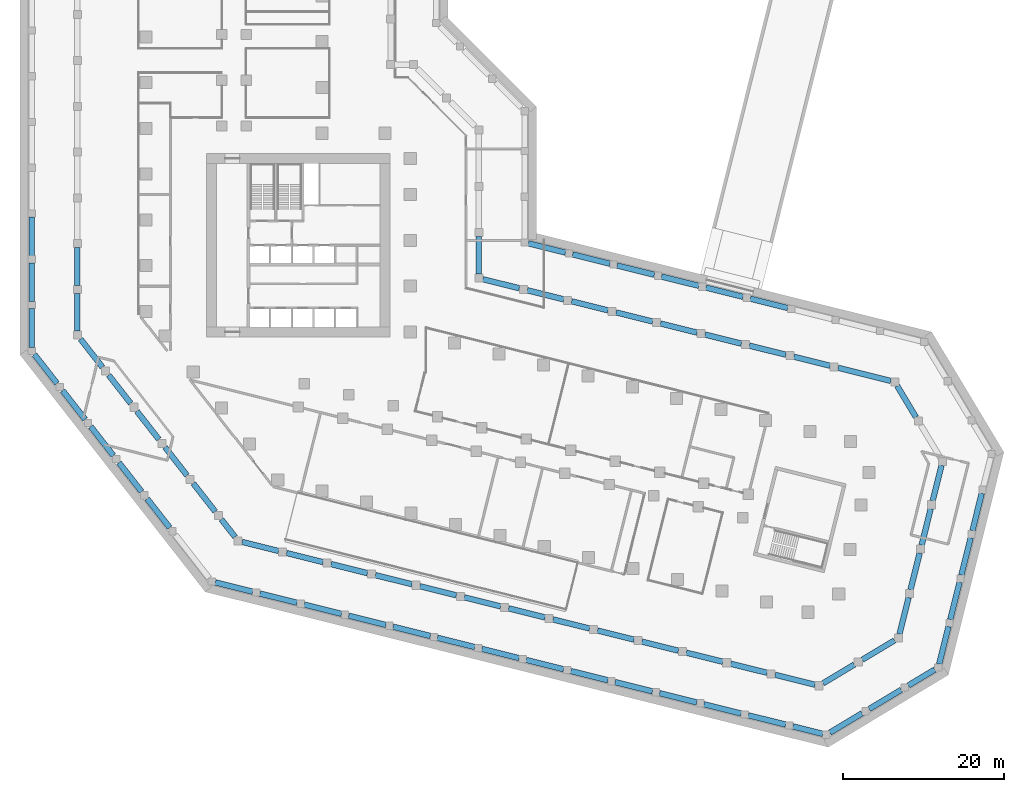
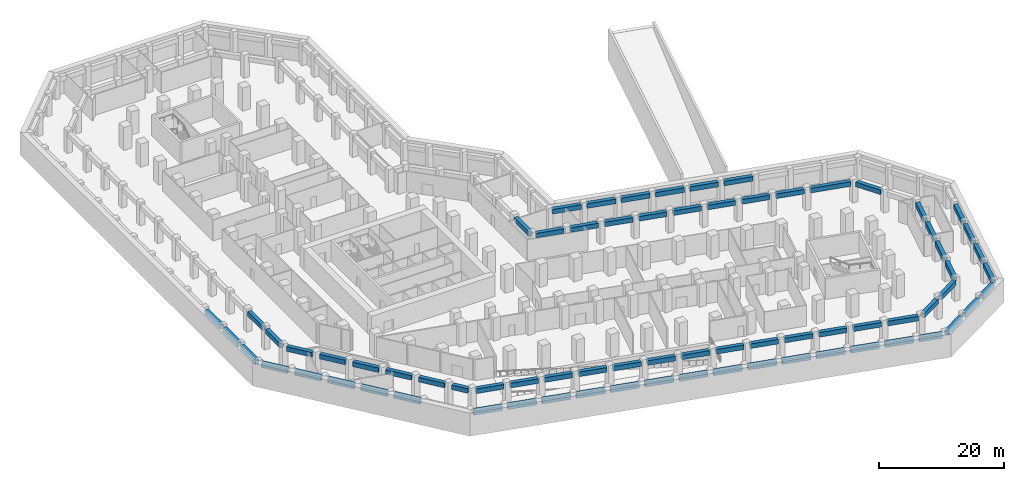
# One storey, part 2 of 14: 73 beams.
"""IFC4 building model written with IfcOpenShell, lengths in metres."""

from ifc_helpers import new_model, si_unit, direction, frame, origin, origin_2d, place, context, subcontext, project, spatial, rectangle, extrude, material, material_profile, profile_set, type_object, element, save


model = new_model("IFC4")

# Units and contexts
model_context = context("Model", 3, precision=1e-05, world=origin(), true_north=direction((0.0, 1.0)))
body_context = subcontext(model_context, "Body", "Model", "MODEL_VIEW")
ifc_project = project(units=[si_unit("LENGTHUNIT", "METRE"), si_unit("AREAUNIT", "SQUARE_METRE"), si_unit("VOLUMEUNIT", "CUBIC_METRE"), si_unit("PLANEANGLEUNIT", "RADIAN"), si_unit("MASSUNIT", "GRAM", prefix="KILO")], contexts=[model_context])

# Site, building, storey
site_placement = place(None, origin())
site = spatial("IfcSite", under=ifc_project, at=site_placement, CompositionType="ELEMENT")
building_placement = place(site_placement, origin())
building = spatial("IfcBuilding", under=site, at=building_placement, Name="Meshkara Civic Tower", CompositionType="ELEMENT")
storey_placement = place(building_placement, frame((0.0, 0.0, -4.5)))
storey = spatial("IfcBuildingStorey", under=building, at=storey_placement, Name="B1", CompositionType="ELEMENT", Elevation=-4.5)

# Beams
ifc_material = material(Name="Concrete C60", Category="concrete")
ifc_material_profile = material_profile(ifc_material, rectangle(XDim=0.699951171875, YDim=0.89990234375, at=origin_2d()))
ifc_profile_set = profile_set([ifc_material_profile], Name="Concrete C60")
beam_type = type_object("IfcBeamType", Name="Spandrel beam RC 700x900 C60", PredefinedType="BEAM", material=ifc_profile_set)
beam_1_placement = place(storey_placement, frame((-13.800048828125, 29.0029296875, 3.60009765625), z_axis=(0.0, -1.0, 0.0), x_axis=(1.0, 0.0, 0.0)))
element("IfcBeam", 1, at=beam_1_placement, inside=storey, type_object=beam_type, Name="Spandrel beam BM02-02-BM02-03", PredefinedType="BEAM", context=body_context, shape_type="SweptSolid", body=[
    extrude(rectangle(XDim=0.699951171875, YDim=0.89990234375, at=origin_2d()), origin(), (0.0, 0.0, 1.0), 4.809814453125),
])
for number, where, z_axis, x_axis, name in (
    (2, (-13.800048828125, 23.302978515625, 3.60009765625), (0.0, -1.0, 0.0), (1.0, 0.0, 0.0), "Spandrel beam BM02-01-BM02-02"),
    (3, (-13.800048828125, 17.60302734375, 3.60009765625), (0.0, -1.0, 0.0), (1.0, 0.0, 0.0), "Spandrel beam BM02-00-BM02-01"),
):
    element("IfcBeam", number, at=place(storey_placement, frame(where, z_axis=z_axis, x_axis=x_axis)), inside=storey, type_object=beam_type, Name=name, PredefinedType="BEAM", context=body_context, shape_type="SweptSolid", body=[
        extrude(rectangle(XDim=0.699951171875, YDim=0.89990234375, at=origin_2d()), origin(), (0.0, 0.0, 1.0), 4.81005859375),
    ])
beam_2_placement = place(storey_placement, frame((-13.45166015625, 11.90185546875, 3.60009765625), z_axis=(0.615626410665, -0.788038147865, 0.0), x_axis=(0.788038147865, 0.615626410665, 0.0)))
element("IfcBeam", 4, at=beam_2_placement, inside=storey, type_object=beam_type, Name="Spandrel beam BM02-00-BM03-01", PredefinedType="BEAM", context=body_context, shape_type="SweptSolid", body=[
    extrude(rectangle(XDim=0.699951171875, YDim=0.89990234375, at=origin_2d()), origin(), (0.0, 0.0, 1.0), 4.568115234375),
])
beam_3_placement = place(storey_placement, frame((-9.9423828125, 7.409912109375, 3.60009765625), z_axis=(0.615663751803, -0.788008975022, 0.0), x_axis=(0.788008975022, 0.615663751803, 0.0)))
element("IfcBeam", 5, at=beam_3_placement, inside=storey, type_object=beam_type, Name="Spandrel beam BM03-01-BM03-02", PredefinedType="BEAM", context=body_context, shape_type="SweptSolid", body=[
    extrude(rectangle(XDim=0.699951171875, YDim=0.89990234375, at=origin_2d()), origin(), (0.0, 0.0, 1.0), 4.567138671875),
])
beam_4_placement = place(storey_placement, frame((-6.43359375, 2.9189453125, 3.60009765625), z_axis=(0.615725963562, -0.787960365625, 0.0), x_axis=(0.787960365625, 0.615725963562, 0.0)))
element("IfcBeam", 6, at=beam_4_placement, inside=storey, type_object=beam_type, Name="Spandrel beam BM03-02-BM03-03", PredefinedType="BEAM", context=body_context, shape_type="SweptSolid", body=[
    extrude(rectangle(XDim=0.699951171875, YDim=0.89990234375, at=origin_2d()), origin(), (0.0, 0.0, 1.0), 4.568603515625),
])
beam_5_placement = place(storey_placement, frame((-2.923583984375, -1.572998046875, 3.60009765625), z_axis=(0.615626410665, -0.788038147865, 0.0), x_axis=(0.788038147865, 0.615626410665, 0.0)))
element("IfcBeam", 7, at=beam_5_placement, inside=storey, type_object=beam_type, Name="Spandrel beam BM03-03-BM03-04", PredefinedType="BEAM", context=body_context, shape_type="SweptSolid", body=[
    extrude(rectangle(XDim=0.699951171875, YDim=0.89990234375, at=origin_2d()), origin(), (0.0, 0.0, 1.0), 4.568115234375),
])
beam_6_placement = place(storey_placement, frame((0.58544921875, -6.065185546875, 3.60009765625), z_axis=(0.615722879711, -0.78796277539, 0.0), x_axis=(0.78796277539, 0.615722879711, 0.0)))
element("IfcBeam", 8, at=beam_6_placement, inside=storey, type_object=beam_type, Name="Spandrel beam BM03-04-BM03-05", PredefinedType="BEAM", context=body_context, shape_type="SweptSolid", body=[
    extrude(rectangle(XDim=0.699951171875, YDim=0.89990234375, at=origin_2d()), origin(), (0.0, 0.0, 1.0), 4.56689453125),
])
beam_7_placement = place(storey_placement, frame((9.088134765625, -16.489013671875, 3.60009765625), z_axis=(0.970301429476, -0.241899020164, 0.0), x_axis=(0.241899020164, 0.970301429476, 0.0)))
element("IfcBeam", 9, at=beam_7_placement, inside=storey, type_object=beam_type, Name="Spandrel beam BM03-E-BM04-01", PredefinedType="BEAM", context=body_context, shape_type="SweptSolid", body=[
    extrude(rectangle(XDim=0.699951171875, YDim=0.89990234375, at=origin_2d()), origin(), (0.0, 0.0, 1.0), 4.782958984375),
])
beam_8_placement = place(storey_placement, frame((14.619140625, -17.867919921875, 3.60009765625), z_axis=(0.970286489601, -0.241958938867, 0.0), x_axis=(0.241958938867, 0.970286489601, 0.0)))
element("IfcBeam", 10, at=beam_8_placement, inside=storey, type_object=beam_type, Name="Spandrel beam BM04-01-BM04-02", PredefinedType="BEAM", context=body_context, shape_type="SweptSolid", body=[
    extrude(rectangle(XDim=0.699951171875, YDim=0.89990234375, at=origin_2d()), origin(), (0.0, 0.0, 1.0), 4.78173828125),
])
for number, where, z_axis, x_axis, name in (
    (11, (20.149169921875, -19.2470703125, 3.60009765625), (0.970298442389, -0.241911001604, 0.0), (0.241911001604, 0.970298442389, 0.0), "Spandrel beam BM04-02-BM04-03"),
    (12, (25.68017578125, -20.6259765625, 3.60009765625), (0.970298442389, -0.241911001604, 0.0), (0.241911001604, 0.970298442389, 0.0), "Spandrel beam BM04-03-BM04-04"),
):
    element("IfcBeam", number, at=place(storey_placement, frame(where, z_axis=z_axis, x_axis=x_axis)), inside=storey, type_object=beam_type, Name=name, PredefinedType="BEAM", context=body_context, shape_type="SweptSolid", body=[
        extrude(rectangle(XDim=0.699951171875, YDim=0.89990234375, at=origin_2d()), origin(), (0.0, 0.0, 1.0), 4.78271484375),
    ])
beam_9_placement = place(storey_placement, frame((31.211181640625, -22.0048828125, 3.60009765625), z_axis=(0.970322440067, -0.241814727224, 0.0), x_axis=(0.241814727224, 0.970322440067, 0.0)))
element("IfcBeam", 13, at=beam_9_placement, inside=storey, type_object=beam_type, Name="Spandrel beam BM04-04-BM04-05", PredefinedType="BEAM", context=body_context, shape_type="SweptSolid", body=[
    extrude(rectangle(XDim=0.699951171875, YDim=0.89990234375, at=origin_2d()), origin(), (0.0, 0.0, 1.0), 4.781494140625),
])
for number, where, z_axis, x_axis, name in (
    (14, (36.7412109375, -23.383056640625, 3.60009765625), (0.970298442389, -0.241911001604, 0.0), (0.241911001604, 0.970298442389, 0.0), "Spandrel beam BM04-05-BM04-06"),
    (15, (42.272216796875, -24.761962890625, 3.60009765625), (0.970298442389, -0.241911001604, 0.0), (0.241911001604, 0.970298442389, 0.0), "Spandrel beam BM04-06-BM04-07"),
):
    element("IfcBeam", number, at=place(storey_placement, frame(where, z_axis=z_axis, x_axis=x_axis)), inside=storey, type_object=beam_type, Name=name, PredefinedType="BEAM", context=body_context, shape_type="SweptSolid", body=[
        extrude(rectangle(XDim=0.699951171875, YDim=0.89990234375, at=origin_2d()), origin(), (0.0, 0.0, 1.0), 4.78271484375),
    ])
beam_10_placement = place(storey_placement, frame((47.802978515625, -26.14111328125, 3.60009765625), z_axis=(0.970301429476, -0.241899020164, 0.0), x_axis=(0.241899020164, 0.970301429476, 0.0)))
element("IfcBeam", 16, at=beam_10_placement, inside=storey, type_object=beam_type, Name="Spandrel beam BM04-07-BM04-08", PredefinedType="BEAM", context=body_context, shape_type="SweptSolid", body=[
    extrude(rectangle(XDim=0.699951171875, YDim=0.89990234375, at=origin_2d()), origin(), (0.0, 0.0, 1.0), 4.782958984375),
])
beam_11_placement = place(storey_placement, frame((53.333984375, -27.52001953125, 3.60009765625), z_axis=(0.970289478464, -0.241946952825, 0.0), x_axis=(0.241946952825, 0.970289478464, 0.0)))
element("IfcBeam", 17, at=beam_11_placement, inside=storey, type_object=beam_type, Name="Spandrel beam BM04-08-BM04-09", PredefinedType="BEAM", context=body_context, shape_type="SweptSolid", body=[
    extrude(rectangle(XDim=0.699951171875, YDim=0.89990234375, at=origin_2d()), origin(), (0.0, 0.0, 1.0), 4.781982421875),
])
for number, where, z_axis, x_axis, name in (
    (18, (58.864013671875, -28.89892578125, 3.60009765625), (0.970301429476, -0.241899020164, 0.0), (0.241899020164, 0.970301429476, 0.0), "Spandrel beam BM04-09-BM04-10"),
    (19, (64.39501953125, -30.278076171875, 3.60009765625), (0.970301429476, -0.241899020164, 0.0), (0.241899020164, 0.970301429476, 0.0), "Spandrel beam BM04-10-BM04-11"),
):
    element("IfcBeam", number, at=place(storey_placement, frame(where, z_axis=z_axis, x_axis=x_axis)), inside=storey, type_object=beam_type, Name=name, PredefinedType="BEAM", context=body_context, shape_type="SweptSolid", body=[
        extrude(rectangle(XDim=0.699951171875, YDim=0.89990234375, at=origin_2d()), origin(), (0.0, 0.0, 1.0), 4.782958984375),
    ])
beam_12_placement = place(storey_placement, frame((69.926025390625, -31.656982421875, 3.60009765625), z_axis=(0.970289478464, -0.241946952825, 0.0), x_axis=(0.241946952825, 0.970289478464, 0.0)))
element("IfcBeam", 20, at=beam_12_placement, inside=storey, type_object=beam_type, Name="Spandrel beam BM04-11-BM04-12", PredefinedType="BEAM", context=body_context, shape_type="SweptSolid", body=[
    extrude(rectangle(XDim=0.699951171875, YDim=0.89990234375, at=origin_2d()), origin(), (0.0, 0.0, 1.0), 4.781982421875),
])
beam_13_placement = place(storey_placement, frame((75.4560546875, -33.035888671875, 3.60009765625), z_axis=(0.970289447569, -0.241947076726, 0.0), x_axis=(0.241947076726, 0.970289447569, 0.0)))
element("IfcBeam", 21, at=beam_13_placement, inside=storey, type_object=beam_type, Name="Spandrel beam BM04-12-BM04-13", PredefinedType="BEAM", context=body_context, shape_type="SweptSolid", body=[
    extrude(rectangle(XDim=0.699951171875, YDim=0.89990234375, at=origin_2d()), origin(), (0.0, 0.0, 1.0), 4.782958984375),
])
beam_14_placement = place(storey_placement, frame((80.987060546875, -34.4150390625, 3.60009765625), z_axis=(0.970328718861, -0.241789531108, 0.0), x_axis=(0.241789531108, 0.970328718861, 0.0)))
element("IfcBeam", 22, at=beam_14_placement, inside=storey, type_object=beam_type, Name="Spandrel beam BM04-13-BM04-E", PredefinedType="BEAM", context=body_context, shape_type="SweptSolid", body=[
    extrude(rectangle(XDim=0.699951171875, YDim=0.89990234375, at=origin_2d()), origin(), (0.0, 0.0, 1.0), 3.85009765625),
])
for number, where, z_axis, x_axis, name in (
    (23, (85.61376953125, -35.189208984375, 3.60009765625), (0.85715068207, 0.515065731947, 0.0), (-0.515065731947, 0.85715068207, 0.0), "Spandrel beam BM04-E-BM05-01"),
    (24, (90.499755859375, -32.253173828125, 3.60009765625), (0.85715068207, 0.515065731947, 0.0), (-0.515065731947, 0.85715068207, 0.0), "Spandrel beam BM05-01-BM05-02"),
):
    element("IfcBeam", number, at=place(storey_placement, frame(where, z_axis=z_axis, x_axis=x_axis)), inside=storey, type_object=beam_type, Name=name, PredefinedType="BEAM", context=body_context, shape_type="SweptSolid", body=[
        extrude(rectangle(XDim=0.699951171875, YDim=0.89990234375, at=origin_2d()), origin(), (0.0, 0.0, 1.0), 4.660400390625),
    ])
beam_15_placement = place(storey_placement, frame((95.3857421875, -29.317138671875, 3.60009765625), z_axis=(0.857132495431, 0.515095996175, 0.0), x_axis=(-0.515095996175, 0.857132495431, 0.0)))
element("IfcBeam", 25, at=beam_15_placement, inside=storey, type_object=beam_type, Name="Spandrel beam BM05-02-BM05-E", PredefinedType="BEAM", context=body_context, shape_type="SweptSolid", body=[
    extrude(rectangle(XDim=0.699951171875, YDim=0.89990234375, at=origin_2d()), origin(), (0.0, 0.0, 1.0), 3.827392578125),
])
beam_16_placement = place(storey_placement, frame((99.222900390625, -26.6328125, 3.60009765625), z_axis=(0.241911001604, 0.970298442389, 0.0), x_axis=(-0.970298442389, 0.241911001604, 0.0)))
element("IfcBeam", 26, at=beam_16_placement, inside=storey, type_object=beam_type, Name="Spandrel beam BM05-E-BM06-01", PredefinedType="BEAM", context=body_context, shape_type="SweptSolid", body=[
    extrude(rectangle(XDim=0.699951171875, YDim=0.89990234375, at=origin_2d()), origin(), (0.0, 0.0, 1.0), 4.78271484375),
])
beam_17_placement = place(storey_placement, frame((100.60205078125, -21.101806640625, 3.60009765625), z_axis=(0.241958938867, 0.970286489601, 0.0), x_axis=(-0.970286489601, 0.241958938867, 0.0)))
element("IfcBeam", 27, at=beam_17_placement, inside=storey, type_object=beam_type, Name="Spandrel beam BM06-01-BM06-02", PredefinedType="BEAM", context=body_context, shape_type="SweptSolid", body=[
    extrude(rectangle(XDim=0.699951171875, YDim=0.89990234375, at=origin_2d()), origin(), (0.0, 0.0, 1.0), 4.78173828125),
])
beam_18_placement = place(storey_placement, frame((101.981201171875, -15.572021484375, 3.60009765625), z_axis=(0.242043184508, 0.970265477502, 0.0), x_axis=(-0.970265477502, 0.242043184508, 0.0)))
element("IfcBeam", 28, at=beam_18_placement, inside=storey, type_object=beam_type, Name="Spandrel beam BM06-02-BM06-03", PredefinedType="BEAM", context=body_context, shape_type="SweptSolid", body=[
    extrude(rectangle(XDim=0.699951171875, YDim=0.89990234375, at=origin_2d()), origin(), (0.0, 0.0, 1.0), 4.783203125),
])
for number, where, z_axis, x_axis, name in (
    (29, (103.361083984375, -10.041015625, 3.60009765625), (0.241899020164, 0.970301429476, 0.0), (-0.970301429476, 0.241899020164, 0.0), "Spandrel beam BM06-03-BM06-04"),
    (30, (80.3388671875, 17.68896484375, 3.60009765625), (-0.970301429476, 0.241899020164, 0.0), (-0.241899020164, -0.970301429476, 0.0), "Spandrel beam BM08-05-BM08-06"),
):
    element("IfcBeam", number, at=place(storey_placement, frame(where, z_axis=z_axis, x_axis=x_axis)), inside=storey, type_object=beam_type, Name=name, PredefinedType="BEAM", context=body_context, shape_type="SweptSolid", body=[
        extrude(rectangle(XDim=0.699951171875, YDim=0.89990234375, at=origin_2d()), origin(), (0.0, 0.0, 1.0), 4.782958984375),
    ])
beam_19_placement = place(storey_placement, frame((74.807861328125, 19.068115234375, 3.60009765625), z_axis=(-0.970286489601, 0.241958938867, 0.0), x_axis=(-0.241958938867, -0.970286489601, 0.0)))
element("IfcBeam", 31, at=beam_19_placement, inside=storey, type_object=beam_type, Name="Spandrel beam BM08-04-BM08-05", PredefinedType="BEAM", context=body_context, shape_type="SweptSolid", body=[
    extrude(rectangle(XDim=0.699951171875, YDim=0.89990234375, at=origin_2d()), origin(), (0.0, 0.0, 1.0), 4.78173828125),
])
for number, where, z_axis, x_axis, name in (
    (32, (69.27783203125, 20.447021484375, 3.60009765625), (-0.970298442389, 0.241911001604, 0.0), (-0.241911001604, -0.970298442389, 0.0), "Spandrel beam BM08-03-BM08-04"),
    (33, (63.746826171875, 21.825927734375, 3.60009765625), (-0.970298442389, 0.241911001604, 0.0), (-0.241911001604, -0.970298442389, 0.0), "Spandrel beam BM08-02-BM08-03"),
):
    element("IfcBeam", number, at=place(storey_placement, frame(where, z_axis=z_axis, x_axis=x_axis)), inside=storey, type_object=beam_type, Name=name, PredefinedType="BEAM", context=body_context, shape_type="SweptSolid", body=[
        extrude(rectangle(XDim=0.699951171875, YDim=0.89990234375, at=origin_2d()), origin(), (0.0, 0.0, 1.0), 4.78271484375),
    ])
beam_20_placement = place(storey_placement, frame((58.2158203125, 23.205078125, 3.60009765625), z_axis=(-0.970286489601, 0.241958938867, 0.0), x_axis=(-0.241958938867, -0.970286489601, 0.0)))
element("IfcBeam", 34, at=beam_20_placement, inside=storey, type_object=beam_type, Name="Spandrel beam BM08-01-BM08-02", PredefinedType="BEAM", context=body_context, shape_type="SweptSolid", body=[
    extrude(rectangle(XDim=0.699951171875, YDim=0.89990234375, at=origin_2d()), origin(), (0.0, 0.0, 1.0), 4.78173828125),
])
beam_21_placement = place(storey_placement, frame((52.685791015625, 24.583984375, 3.60009765625), z_axis=(-0.970298442389, 0.241911001604, 0.0), x_axis=(-0.241911001604, -0.970298442389, 0.0)))
element("IfcBeam", 35, at=beam_21_placement, inside=storey, type_object=beam_type, Name="Spandrel beam BM08-00-BM08-01", PredefinedType="BEAM", context=body_context, shape_type="SweptSolid", body=[
    extrude(rectangle(XDim=0.699951171875, YDim=0.89990234375, at=origin_2d()), origin(), (0.0, 0.0, 1.0), 4.78271484375),
])
beam_22_placement = place(storey_placement, frame((-8.10009765625, 25.216064453125, 3.60009765625), z_axis=(0.0, -1.0, 0.0), x_axis=(1.0, 0.0, 0.0)))
element("IfcBeam", 36, at=beam_22_placement, inside=storey, type_object=beam_type, Name="Spandrel beam PD02-01-PD02-02", PredefinedType="BEAM", context=body_context, shape_type="SweptSolid", body=[
    extrude(rectangle(XDim=0.699951171875, YDim=0.89990234375, at=origin_2d()), origin(), (0.0, 0.0, 1.0), 4.7099609375),
])
beam_23_placement = place(storey_placement, frame((-8.10009765625, 19.51611328125, 3.60009765625), z_axis=(0.0, -1.0, 0.0), x_axis=(1.0, 0.0, 0.0)))
element("IfcBeam", 37, at=beam_23_placement, inside=storey, type_object=beam_type, Name="Spandrel beam PD02-00-PD02-01", PredefinedType="BEAM", context=body_context, shape_type="SweptSolid", body=[
    extrude(rectangle(XDim=0.699951171875, YDim=0.89990234375, at=origin_2d()), origin(), (0.0, 0.0, 1.0), 4.710205078125),
])
beam_24_placement = place(storey_placement, frame((-7.71240234375, 13.81494140625, 3.60009765625), z_axis=(0.615602435322, -0.788056877151, 0.0), x_axis=(0.788056877151, 0.615602435322, 0.0)))
element("IfcBeam", 38, at=beam_24_placement, inside=storey, type_object=beam_type, Name="Spandrel beam PD02-00-PD03-01", PredefinedType="BEAM", context=body_context, shape_type="SweptSolid", body=[
    extrude(rectangle(XDim=0.699951171875, YDim=0.89990234375, at=origin_2d()), origin(), (0.0, 0.0, 1.0), 4.44091796875),
])
beam_25_placement = place(storey_placement, frame((-4.203369140625, 9.322998046875, 3.60009765625), z_axis=(0.615709126877, -0.787973521814, 0.0), x_axis=(0.787973521814, 0.615709126877, 0.0)))
element("IfcBeam", 39, at=beam_25_placement, inside=storey, type_object=beam_type, Name="Spandrel beam PD03-01-PD03-02", PredefinedType="BEAM", context=body_context, shape_type="SweptSolid", body=[
    extrude(rectangle(XDim=0.699951171875, YDim=0.89990234375, at=origin_2d()), origin(), (0.0, 0.0, 1.0), 4.440185546875),
])
beam_26_placement = place(storey_placement, frame((-0.6943359375, 4.831787109375, 3.60009765625), z_axis=(0.615704842432, -0.787976869588, 0.0), x_axis=(0.787976869588, 0.615704842432, 0.0)))
element("IfcBeam", 40, at=beam_26_placement, inside=storey, type_object=beam_type, Name="Spandrel beam PD03-02-PD03-03", PredefinedType="BEAM", context=body_context, shape_type="SweptSolid", body=[
    extrude(rectangle(XDim=0.699951171875, YDim=0.89990234375, at=origin_2d()), origin(), (0.0, 0.0, 1.0), 4.44140625),
])
for number, where, z_axis, x_axis, name in (
    (41, (2.8154296875, 0.33984375, 3.60009765625), (0.615636574491, -0.788030207637, 0.0), (0.788030207637, 0.615636574491, 0.0), "Spandrel beam PD03-03-PD03-04"),
    (42, (6.324462890625, -4.152099609375, 3.60009765625), (0.615636574491, -0.788030207637, 0.0), (0.788030207637, 0.615636574491, 0.0), "Spandrel beam PD03-04-PD03-05"),
):
    element("IfcBeam", number, at=place(storey_placement, frame(where, z_axis=z_axis, x_axis=x_axis)), inside=storey, type_object=beam_type, Name=name, PredefinedType="BEAM", context=body_context, shape_type="SweptSolid", body=[
        extrude(rectangle(XDim=0.699951171875, YDim=0.89990234375, at=origin_2d()), origin(), (0.0, 0.0, 1.0), 4.441162109375),
    ])
beam_27_placement = place(storey_placement, frame((9.83349609375, -8.64404296875, 3.60009765625), z_axis=(0.615697082111, -0.787982933242, 0.0), x_axis=(0.787982933242, 0.615697082111, 0.0)))
element("IfcBeam", 43, at=beam_27_placement, inside=storey, type_object=beam_type, Name="Spandrel beam PD03-05-PD03-E", PredefinedType="BEAM", context=body_context, shape_type="SweptSolid", body=[
    extrude(rectangle(XDim=0.699951171875, YDim=0.89990234375, at=origin_2d()), origin(), (0.0, 0.0, 1.0), 2.76904296875),
])
beam_28_placement = place(storey_placement, frame((12.421142578125, -11.445556640625, 3.60009765625), z_axis=(0.970311050729, -0.24186042428, 0.0), x_axis=(0.24186042428, 0.970311050729, 0.0)))
element("IfcBeam", 44, at=beam_28_placement, inside=storey, type_object=beam_type, Name="Spandrel beam PD03-E-PD04-01", PredefinedType="BEAM", context=body_context, shape_type="SweptSolid", body=[
    extrude(rectangle(XDim=0.699951171875, YDim=0.89990234375, at=origin_2d()), origin(), (0.0, 0.0, 1.0), 4.6796875),
])
beam_29_placement = place(storey_placement, frame((17.9521484375, -12.824462890625, 3.60009765625), z_axis=(0.970286590806, -0.241958533023, 0.0), x_axis=(0.241958533023, 0.970286590806, 0.0)))
element("IfcBeam", 45, at=beam_29_placement, inside=storey, type_object=beam_type, Name="Spandrel beam PD04-01-PD04-02", PredefinedType="BEAM", context=body_context, shape_type="SweptSolid", body=[
    extrude(rectangle(XDim=0.699951171875, YDim=0.89990234375, at=origin_2d()), origin(), (0.0, 0.0, 1.0), 4.6787109375),
])
for number, where, z_axis, x_axis, name in (
    (46, (23.482177734375, -14.20361328125, 3.60009765625), (0.970311050729, -0.24186042428, 0.0), (0.24186042428, 0.970311050729, 0.0), "Spandrel beam PD04-02-PD04-03"),
    (47, (29.01318359375, -15.58251953125, 3.60009765625), (0.970298806378, -0.241909541651, 0.0), (0.241909541651, 0.970298806378, 0.0), "Spandrel beam PD04-03-PD04-04"),
):
    element("IfcBeam", number, at=place(storey_placement, frame(where, z_axis=z_axis, x_axis=x_axis)), inside=storey, type_object=beam_type, Name=name, PredefinedType="BEAM", context=body_context, shape_type="SweptSolid", body=[
        extrude(rectangle(XDim=0.699951171875, YDim=0.89990234375, at=origin_2d()), origin(), (0.0, 0.0, 1.0), 4.6796875),
    ])
beam_30_placement = place(storey_placement, frame((34.544189453125, -16.96142578125, 3.60009765625), z_axis=(0.970347770718, -0.241713061011, 0.0), x_axis=(0.241713061011, 0.970347770718, 0.0)))
element("IfcBeam", 48, at=beam_30_placement, inside=storey, type_object=beam_type, Name="Spandrel beam PD04-04-PD04-05", PredefinedType="BEAM", context=body_context, shape_type="SweptSolid", body=[
    extrude(rectangle(XDim=0.699951171875, YDim=0.89990234375, at=origin_2d()), origin(), (0.0, 0.0, 1.0), 4.679443359375),
])
beam_31_placement = place(storey_placement, frame((40.0751953125, -18.339599609375, 3.60009765625), z_axis=(0.970298839963, -0.241909406941, 0.0), x_axis=(0.241909406941, 0.970298839963, 0.0)))
element("IfcBeam", 49, at=beam_31_placement, inside=storey, type_object=beam_type, Name="Spandrel beam PD04-05-PD04-06", PredefinedType="BEAM", context=body_context, shape_type="SweptSolid", body=[
    extrude(rectangle(XDim=0.699951171875, YDim=0.89990234375, at=origin_2d()), origin(), (0.0, 0.0, 1.0), 4.6787109375),
])
for number, where, z_axis, x_axis, name in (
    (50, (45.60498046875, -19.718505859375, 3.60009765625), (0.970301859111, -0.241897296812, 0.0), (0.241897296812, 0.970301859111, 0.0), "Spandrel beam PD04-06-PD04-07"),
    (51, (51.135986328125, -21.097412109375, 3.60009765625), (0.970301859111, -0.241897296812, 0.0), (0.241897296812, 0.970301859111, 0.0), "Spandrel beam PD04-07-PD04-08"),
):
    element("IfcBeam", number, at=place(storey_placement, frame(where, z_axis=z_axis, x_axis=x_axis)), inside=storey, type_object=beam_type, Name=name, PredefinedType="BEAM", context=body_context, shape_type="SweptSolid", body=[
        extrude(rectangle(XDim=0.699951171875, YDim=0.89990234375, at=origin_2d()), origin(), (0.0, 0.0, 1.0), 4.679931640625),
    ])
beam_32_placement = place(storey_placement, frame((56.6669921875, -22.4765625, 3.60009765625), z_axis=(0.970298839963, -0.241909406941, 0.0), x_axis=(0.241909406941, 0.970298839963, 0.0)))
element("IfcBeam", 52, at=beam_32_placement, inside=storey, type_object=beam_type, Name="Spandrel beam PD04-08-PD04-09", PredefinedType="BEAM", context=body_context, shape_type="SweptSolid", body=[
    extrude(rectangle(XDim=0.699951171875, YDim=0.89990234375, at=origin_2d()), origin(), (0.0, 0.0, 1.0), 4.6787109375),
])
for number, where, z_axis, x_axis, name in (
    (53, (62.197021484375, -23.85546875, 3.60009765625), (0.970298806378, -0.241909541651, 0.0), (0.241909541651, 0.970298806378, 0.0), "Spandrel beam PD04-09-PD04-10"),
    (54, (67.72802734375, -25.234619140625, 3.60009765625), (0.970311050729, -0.24186042428, 0.0), (0.24186042428, 0.970311050729, 0.0), "Spandrel beam PD04-10-PD04-11"),
):
    element("IfcBeam", number, at=place(storey_placement, frame(where, z_axis=z_axis, x_axis=x_axis)), inside=storey, type_object=beam_type, Name=name, PredefinedType="BEAM", context=body_context, shape_type="SweptSolid", body=[
        extrude(rectangle(XDim=0.699951171875, YDim=0.89990234375, at=origin_2d()), origin(), (0.0, 0.0, 1.0), 4.6796875),
    ])
beam_33_placement = place(storey_placement, frame((73.259033203125, -26.613525390625, 3.60009765625), z_axis=(0.970286590806, -0.241958533023, 0.0), x_axis=(0.241958533023, 0.970286590806, 0.0)))
element("IfcBeam", 55, at=beam_33_placement, inside=storey, type_object=beam_type, Name="Spandrel beam PD04-11-PD04-12", PredefinedType="BEAM", context=body_context, shape_type="SweptSolid", body=[
    extrude(rectangle(XDim=0.699951171875, YDim=0.89990234375, at=origin_2d()), origin(), (0.0, 0.0, 1.0), 4.6787109375),
])
beam_34_placement = place(storey_placement, frame((78.7890625, -27.992431640625, 3.60009765625), z_axis=(0.970313224603, -0.241851702828, 0.0), x_axis=(0.241851702828, 0.970313224603, 0.0)))
element("IfcBeam", 56, at=beam_34_placement, inside=storey, type_object=beam_type, Name="Spandrel beam PD04-12-PD04-E", PredefinedType="BEAM", context=body_context, shape_type="SweptSolid", body=[
    extrude(rectangle(XDim=0.699951171875, YDim=0.89990234375, at=origin_2d()), origin(), (0.0, 0.0, 1.0), 5.1240234375),
])
beam_35_placement = place(storey_placement, frame((84.751708984375, -29.05712890625, 3.60009765625), z_axis=(0.857141884297, 0.515080372547, 0.0), x_axis=(-0.515080372547, 0.857141884297, 0.0)))
element("IfcBeam", 57, at=beam_35_placement, inside=storey, type_object=beam_type, Name="Spandrel beam PD04-E-PD05-01", PredefinedType="BEAM", context=body_context, shape_type="SweptSolid", body=[
    extrude(rectangle(XDim=0.699951171875, YDim=0.89990234375, at=origin_2d()), origin(), (0.0, 0.0, 1.0), 4.543701171875),
])
beam_36_placement = place(storey_placement, frame((89.6376953125, -26.12109375, 3.60009765625), z_axis=(0.857157399661, 0.515054552651, 0.0), x_axis=(-0.515054552651, 0.857157399661, 0.0)))
element("IfcBeam", 58, at=beam_36_placement, inside=storey, type_object=beam_type, Name="Spandrel beam PD05-01-PD05-E", PredefinedType="BEAM", context=body_context, shape_type="SweptSolid", body=[
    extrude(rectangle(XDim=0.699951171875, YDim=0.89990234375, at=origin_2d()), origin(), (0.0, 0.0, 1.0), 4.689453125),
])
beam_37_placement = place(storey_placement, frame((94.276611328125, -22.912841796875, 3.60009765625), z_axis=(0.24186042428, 0.970311050729, 0.0), x_axis=(-0.970311050729, 0.24186042428, 0.0)))
element("IfcBeam", 59, at=beam_37_placement, inside=storey, type_object=beam_type, Name="Spandrel beam PD05-E-PD06-01", PredefinedType="BEAM", context=body_context, shape_type="SweptSolid", body=[
    extrude(rectangle(XDim=0.699951171875, YDim=0.89990234375, at=origin_2d()), origin(), (0.0, 0.0, 1.0), 4.6796875),
])
beam_38_placement = place(storey_placement, frame((95.655517578125, -17.3818359375, 3.60009765625), z_axis=(0.241958533023, 0.970286590806, 0.0), x_axis=(-0.970286590806, 0.241958533023, 0.0)))
element("IfcBeam", 60, at=beam_38_placement, inside=storey, type_object=beam_type, Name="Spandrel beam PD06-01-PD06-02", PredefinedType="BEAM", context=body_context, shape_type="SweptSolid", body=[
    extrude(rectangle(XDim=0.699951171875, YDim=0.89990234375, at=origin_2d()), origin(), (0.0, 0.0, 1.0), 4.6787109375),
])
beam_39_placement = place(storey_placement, frame((97.034423828125, -11.851806640625, 3.60009765625), z_axis=(0.241909541651, 0.970298806378, 0.0), x_axis=(-0.970298806378, 0.241909541651, 0.0)))
element("IfcBeam", 61, at=beam_39_placement, inside=storey, type_object=beam_type, Name="Spandrel beam PD06-02-PD06-03", PredefinedType="BEAM", context=body_context, shape_type="SweptSolid", body=[
    extrude(rectangle(XDim=0.699951171875, YDim=0.89990234375, at=origin_2d()), origin(), (0.0, 0.0, 1.0), 4.6796875),
])
beam_40_placement = place(storey_placement, frame((98.41357421875, -6.32080078125, 3.60009765625), z_axis=(0.241942189564, 0.970290666197, 0.0), x_axis=(-0.970290666197, 0.241942189564, 0.0)))
element("IfcBeam", 62, at=beam_40_placement, inside=storey, type_object=beam_type, Name="Spandrel beam PD06-03-PD06-E", PredefinedType="BEAM", context=body_context, shape_type="SweptSolid", body=[
    extrude(rectangle(XDim=0.699951171875, YDim=0.89990234375, at=origin_2d()), origin(), (0.0, 0.0, 1.0), 4.550048828125),
])
beam_41_placement = place(storey_placement, frame((96.328125, 4.095703125, 3.60009765625), z_axis=(-0.515175277931, 0.857084845863, 0.0), x_axis=(-0.857084845863, -0.515175277931, 0.0)))
element("IfcBeam", 63, at=beam_41_placement, inside=storey, type_object=beam_type, Name="Spandrel beam PD07-00-PD07-01", PredefinedType="BEAM", context=body_context, shape_type="SweptSolid", body=[
    extrude(rectangle(XDim=0.699951171875, YDim=0.89990234375, at=origin_2d()), origin(), (0.0, 0.0, 1.0), 4.542724609375),
])
beam_42_placement = place(storey_placement, frame((93.19482421875, 8.6083984375, 3.60009765625), z_axis=(-0.97029537184, 0.24192331716, 0.0), x_axis=(-0.24192331716, -0.97029537184, 0.0)))
element("IfcBeam", 64, at=beam_42_placement, inside=storey, type_object=beam_type, Name="Spandrel beam PD07-00-PD08-08", PredefinedType="BEAM", context=body_context, shape_type="SweptSolid", body=[
    extrude(rectangle(XDim=0.699951171875, YDim=0.89990234375, at=origin_2d()), origin(), (0.0, 0.0, 1.0), 6.75537109375),
])
beam_43_placement = place(storey_placement, frame((85.64990234375, 10.489501953125, 3.60009765625), z_axis=(-0.970286590806, 0.241958533023, 0.0), x_axis=(-0.241958533023, -0.970286590806, 0.0)))
element("IfcBeam", 65, at=beam_43_placement, inside=storey, type_object=beam_type, Name="Spandrel beam PD08-07-PD08-08", PredefinedType="BEAM", context=body_context, shape_type="SweptSolid", body=[
    extrude(rectangle(XDim=0.699951171875, YDim=0.89990234375, at=origin_2d()), origin(), (0.0, 0.0, 1.0), 4.6787109375),
])
beam_44_placement = place(storey_placement, frame((80.119873046875, 11.868408203125, 3.60009765625), z_axis=(-0.970298806378, 0.241909541651, 0.0), x_axis=(-0.241909541651, -0.970298806378, 0.0)))
element("IfcBeam", 66, at=beam_44_placement, inside=storey, type_object=beam_type, Name="Spandrel beam PD08-06-PD08-07", PredefinedType="BEAM", context=body_context, shape_type="SweptSolid", body=[
    extrude(rectangle(XDim=0.699951171875, YDim=0.89990234375, at=origin_2d()), origin(), (0.0, 0.0, 1.0), 4.6796875),
])
beam_45_placement = place(storey_placement, frame((74.5888671875, 13.24755859375, 3.60009765625), z_axis=(-0.970249807203, 0.242105992539, 0.0), x_axis=(-0.242105992539, -0.970249807203, 0.0)))
element("IfcBeam", 67, at=beam_45_placement, inside=storey, type_object=beam_type, Name="Spandrel beam PD08-05-PD08-06", PredefinedType="BEAM", context=body_context, shape_type="SweptSolid", body=[
    extrude(rectangle(XDim=0.699951171875, YDim=0.89990234375, at=origin_2d()), origin(), (0.0, 0.0, 1.0), 4.679931640625),
])
beam_46_placement = place(storey_placement, frame((69.057861328125, 14.62744140625, 3.60009765625), z_axis=(-0.970286590806, 0.241958533023, 0.0), x_axis=(-0.241958533023, -0.970286590806, 0.0)))
element("IfcBeam", 68, at=beam_46_placement, inside=storey, type_object=beam_type, Name="Spandrel beam PD08-04-PD08-05", PredefinedType="BEAM", context=body_context, shape_type="SweptSolid", body=[
    extrude(rectangle(XDim=0.699951171875, YDim=0.89990234375, at=origin_2d()), origin(), (0.0, 0.0, 1.0), 4.6787109375),
])
for number, where, z_axis, x_axis, name in (
    (69, (63.52783203125, 16.006591796875, 3.60009765625), (-0.970311050729, 0.24186042428, 0.0), (-0.24186042428, -0.970311050729, 0.0), "Spandrel beam PD08-03-PD08-04"),
    (70, (57.996826171875, 17.385498046875, 3.60009765625), (-0.970298806378, 0.241909541651, 0.0), (-0.241909541651, -0.970298806378, 0.0), "Spandrel beam PD08-02-PD08-03"),
):
    element("IfcBeam", number, at=place(storey_placement, frame(where, z_axis=z_axis, x_axis=x_axis)), inside=storey, type_object=beam_type, Name=name, PredefinedType="BEAM", context=body_context, shape_type="SweptSolid", body=[
        extrude(rectangle(XDim=0.699951171875, YDim=0.89990234375, at=origin_2d()), origin(), (0.0, 0.0, 1.0), 4.6796875),
    ])
beam_47_placement = place(storey_placement, frame((52.4658203125, 18.764404296875, 3.60009765625), z_axis=(-0.970286590806, 0.241958533023, 0.0), x_axis=(-0.241958533023, -0.970286590806, 0.0)))
element("IfcBeam", 71, at=beam_47_placement, inside=storey, type_object=beam_type, Name="Spandrel beam PD08-01-PD08-02", PredefinedType="BEAM", context=body_context, shape_type="SweptSolid", body=[
    extrude(rectangle(XDim=0.699951171875, YDim=0.89990234375, at=origin_2d()), origin(), (0.0, 0.0, 1.0), 4.6787109375),
])
beam_48_placement = place(storey_placement, frame((46.935791015625, 20.1435546875, 3.60009765625), z_axis=(-0.970311050729, 0.24186042428, 0.0), x_axis=(-0.24186042428, -0.970311050729, 0.0)))
element("IfcBeam", 72, at=beam_48_placement, inside=storey, type_object=beam_type, Name="Spandrel beam PD08-00-PD08-01", PredefinedType="BEAM", context=body_context, shape_type="SweptSolid", body=[
    extrude(rectangle(XDim=0.699951171875, YDim=0.89990234375, at=origin_2d()), origin(), (0.0, 0.0, 1.0), 4.6796875),
])
beam_49_placement = place(storey_placement, frame((41.89990234375, 21.89404296875, 3.60009765625), z_axis=(0.0, 1.0, 0.0), x_axis=(-1.0, 0.0, 0.0)))
element("IfcBeam", 73, at=beam_49_placement, inside=storey, type_object=beam_type, Name="Spandrel beam PD08-00-PD09-01", PredefinedType="BEAM", context=body_context, shape_type="SweptSolid", body=[
    extrude(rectangle(XDim=0.699951171875, YDim=0.89990234375, at=origin_2d()), origin(), (0.0, 0.0, 1.0), 4.7099609375),
])

save(model, "model.ifc")
